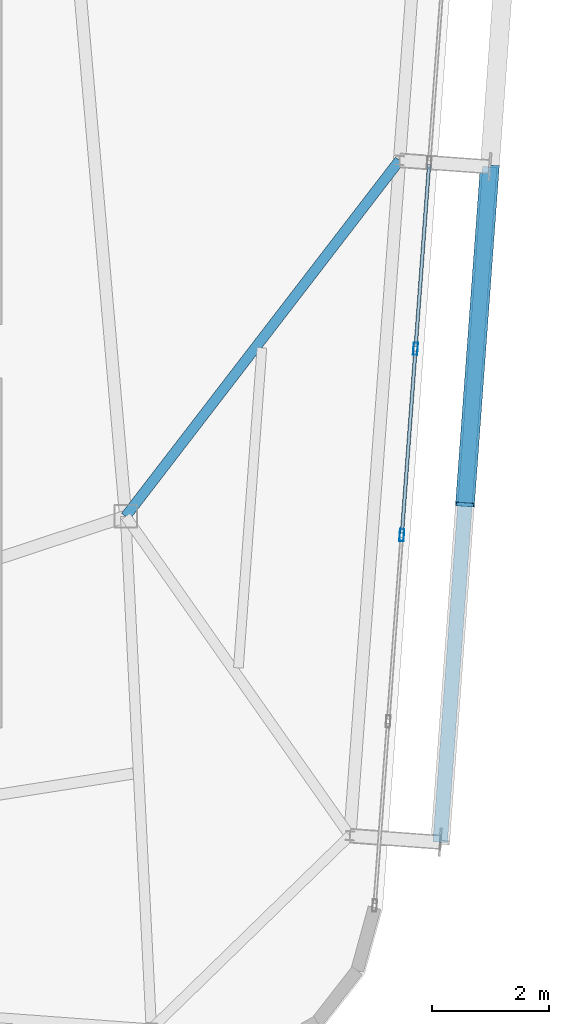
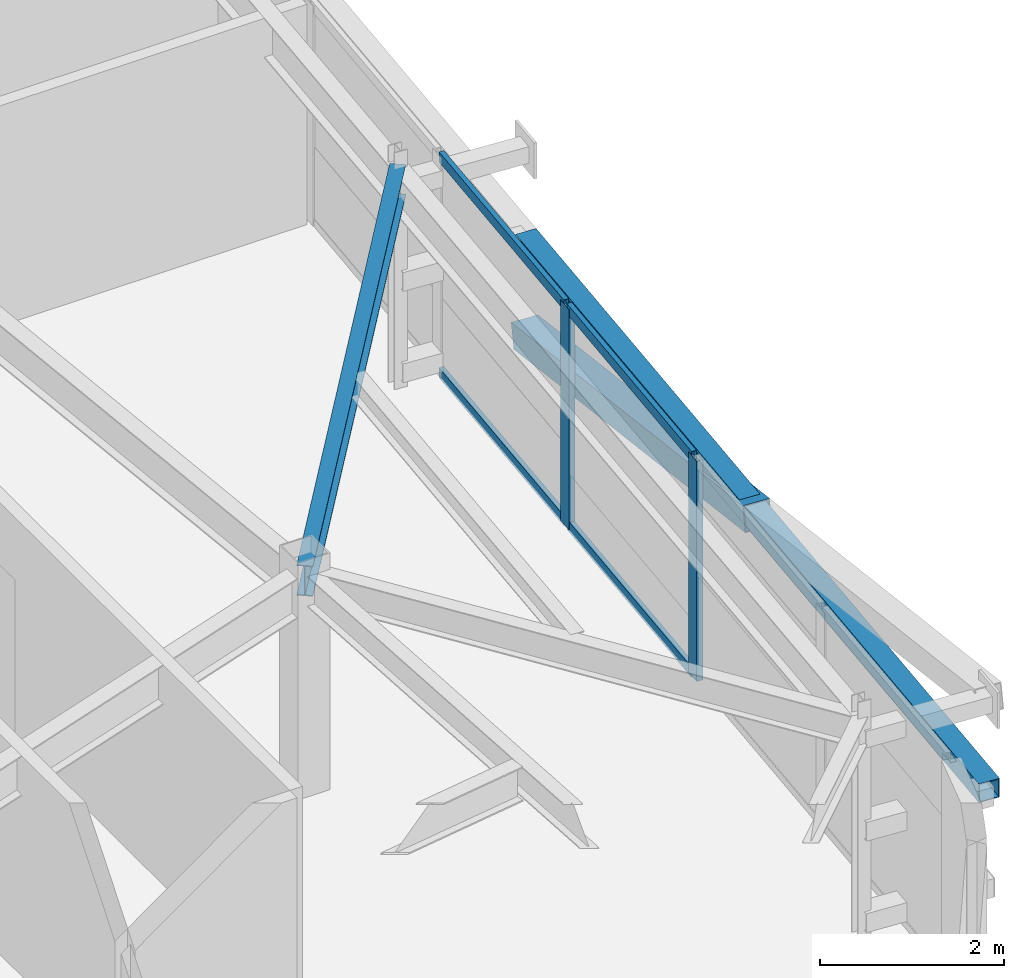
# One storey, part 21 of 42: 8 members, 1 beam, 1 element without a shape of its own.
"""IFC4 building model written with IfcOpenShell, lengths in metres."""

from ifc_helpers import new_model, si_unit, direction, frame, origin, origin_2d, place, context, subcontext, project, spatial, hollow_rectangle, i_section, extrude, source, transform, mapped, material, layer, layer_set, material_profile, profile_set, type_object, element, aggregate, save


model = new_model("IFC4")

# Units and contexts
model_context = context("Model", 3, precision=1e-05, world=origin(), true_north=direction((0.0, 1.0)))
body_context = subcontext(model_context, "Body", "Model", "MODEL_VIEW")
ifc_project = project(units=[si_unit("LENGTHUNIT", "METRE"), si_unit("AREAUNIT", "SQUARE_METRE"), si_unit("VOLUMEUNIT", "CUBIC_METRE"), si_unit("PLANEANGLEUNIT", "RADIAN"), si_unit("MASSUNIT", "GRAM", prefix="KILO")], contexts=[model_context])

# Site, building, storey
site_placement = place(None, origin())
site = spatial("IfcSite", under=ifc_project, at=site_placement, CompositionType="ELEMENT")
building_placement = place(site_placement, origin())
building = spatial("IfcBuilding", under=site, at=building_placement, Name="Taldren Reach Tower", CompositionType="ELEMENT")
storey_placement = place(building_placement, frame((0.0, 0.0, 220.85009765625)))
storey = spatial("IfcBuildingStorey", under=building, at=storey_placement, Name="L67", CompositionType="ELEMENT", Elevation=220.85009765625)

# Beam
ifc_material_1 = material(Name="Steel Gr 350 (350PLUS)", Category="steel")
ifc_material_profile_1 = material_profile(ifc_material_1, i_section(OverallWidth=0.177978515625, OverallDepth=0.406005859375, WebThickness=0.0078125, FlangeThickness=0.0126953125, at=origin_2d()), Name="410UB59.7")
ifc_profile_set_1 = profile_set([ifc_material_profile_1], Name="Steel Gr 350 (350PLUS)")
beam_type = type_object("IfcBeamType", Name="BM-UB410", PredefinedType="BEAM", material=ifc_profile_set_1)
shared_shape_1 = source(origin(), body_context, "Body", "SweptSolid", [
    extrude(i_section(OverallWidth=0.177978515625, OverallDepth=0.406005859375, WebThickness=0.0078125, FlangeThickness=0.0126953125, at=origin_2d()), origin(), (0.0, 0.0, 1.0), 7.6953125),
])
beam_placement = place(storey_placement, frame((52.0, 12.5, 2.726806640625), z_axis=(0.609646363361, 0.792673521471, 0.0), x_axis=(-0.792673521471, 0.609646363361, 0.0)))
element("IfcBeam", 1, at=beam_placement, inside=storey, type_object=beam_type, Name="Primary floor girder B5-E2 L67", PredefinedType="BEAM", context=body_context, shape_type="MappedRepresentation", body=[
    mapped(shared_shape_1, transform((0.0, 0.0, 0.0), scale=1.0)),
])

# Members
ifc_material_2 = material(Name="Steel Gr 450 (C450L0)", Category="steel")
ifc_material_profile_2 = material_profile(ifc_material_2, hollow_rectangle(XDim=0.324951171875, YDim=0.324951171875, WallThickness=0.0126953125, at=origin_2d()), Name="325x325x12.7SHS")
ifc_profile_set_2 = profile_set([ifc_material_profile_2], Name="Steel Gr 450 (C450L0)")
member_type_1 = type_object("IfcMemberType", Name="MB-BR324", PredefinedType="BRACE", material=ifc_profile_set_2)
shared_shape_2 = source(origin(), body_context, "Body", "SweptSolid", [
    extrude(hollow_rectangle(XDim=0.324951171875, YDim=0.324951171875, WallThickness=0.0126953125, at=origin_2d()), origin(), (0.0, 0.0, 1.0), 5.92578125),
])
member_1_placement = place(storey_placement, frame((58.237060546875, 18.486328125, 0.219970703125), z_axis=(-0.071686540919, -0.976131732187, 0.205007027365), x_axis=(0.997314185625, -0.073242167855, 0.0)))
element("IfcMember", 2, at=member_1_placement, inside=storey, type_object=member_type_1, Name="Exoskeleton Diagrid Brace B5-E1 L67", PredefinedType="BRACE", context=body_context, shape_type="MappedRepresentation", body=[
    mapped(shared_shape_2, transform((0.0, 0.0, 0.0), scale=1.0)),
])
ifc_material_3 = material(Name="Steel Gr 350 (C350L0)", Category="steel")
ifc_material_profile_3 = material_profile(ifc_material_3, hollow_rectangle(XDim=0.25, YDim=0.25, WallThickness=0.010009765625, at=origin_2d()), Name="250x250x10.0SHS")
ifc_profile_set_3 = profile_set([ifc_material_profile_3], Name="Steel Gr 350 (C350L0)")
member_type_2 = type_object("IfcMemberType", Name="MB-POST250", PredefinedType="POST", material=ifc_profile_set_3)
shared_shape_3 = source(origin(), body_context, "Body", "SweptSolid", [
    extrude(hollow_rectangle(XDim=0.25, YDim=0.25, WallThickness=0.010009765625, at=origin_2d()), origin(), (0.0, 0.0, 1.0), 11.60009765625),
])
member_2_placement = place(storey_placement, frame((57.3876953125, 6.91748046875, 1.434814453125), z_axis=(0.073221234109, 0.997315722766, 0.0), x_axis=(-0.997315722766, 0.073221234109, 0.0)))
element("IfcMember", 3, at=member_2_placement, inside=storey, type_object=member_type_2, Name="Exoskeleton mid-height ring chord B5-E1 L67", PredefinedType="POST", context=body_context, shape_type="MappedRepresentation", body=[
    mapped(shared_shape_3, transform((0.0, 0.0, 0.0), scale=1.0)),
])

# Curtain wall, members
ifc_material_4 = material(Name="Aluminium and Low-E Glass Unitised System", Category="aluminium")
ifc_layer = layer(ifc_material_4, 0.159912109375)
ifc_layer_set = layer_set([ifc_layer], Name="Aluminium and Low-E Glass Unitised System")
curtain_wall_type = type_object("IfcCurtainWallType", Name="CW-SYS-6", PredefinedType="NOTDEFINED", material=ifc_layer_set)
curtain_wall_placement = place(storey_placement, origin())
curtain_wall = element("IfcCurtainWall", 4, at=curtain_wall_placement, inside=storey, type_object=curtain_wall_type, Name="Unitised curtain wall CW-L67-E", PredefinedType="NOTDEFINED")
ifc_material_5 = material(Name="Anodised Aluminium 6063-T6", Category="aluminium")
ifc_material_profile_4 = material_profile(ifc_material_5, hollow_rectangle(XDim=0.074951171875, YDim=0.2099609375, WallThickness=0.00439453125, at=origin_2d()), Name="ALU-210x75x4.5RHS")
ifc_profile_set_4 = profile_set([ifc_material_profile_4], Name="Anodised Aluminium 6063-T6")
member_type_3 = type_object("IfcMemberType", Name="CW-MUL-200", PredefinedType="MULLION", material=ifc_profile_set_4)
shared_shape_4 = source(origin(), body_context, "Body", "SweptSolid", [
    extrude(hollow_rectangle(XDim=0.074951171875, YDim=0.2099609375, WallThickness=0.00439453125, at=origin_2d()), origin(), (0.0, 0.0, 1.0), 2.929931640625),
])
member_3_placement = place(storey_placement, frame((56.731201171875, 12.1796875, 0.0), z_axis=(0.0, 0.0, 1.0), x_axis=(-0.997314470951, 0.073238282558, 0.0)))
member_3 = element("IfcMember", 5, at=member_3_placement, type_object=member_type_3, Name="CW-6 mullion 3", PredefinedType="MULLION", context=body_context, shape_type="MappedRepresentation", body=[
    mapped(shared_shape_4, transform((0.0, 0.0, 0.0), scale=1.0)),
])
member_4_placement = place(storey_placement, frame((56.965576171875, 15.37109375, 0.0), z_axis=(0.0, 0.0, 1.0), x_axis=(-0.997314470951, 0.073238282558, 0.0)))
member_4 = element("IfcMember", 6, at=member_4_placement, type_object=member_type_3, Name="CW-6 mullion 4", PredefinedType="MULLION", context=body_context, shape_type="MappedRepresentation", body=[
    mapped(shared_shape_4, transform((0.0, 0.0, 0.0), scale=1.0)),
])
ifc_material_profile_5 = material_profile(ifc_material_5, hollow_rectangle(XDim=0.06005859375, YDim=0.135009765625, WallThickness=0.00341796875, at=origin_2d()), Name="ALU-135x60x3.5RHS")
ifc_profile_set_5 = profile_set([ifc_material_profile_5], Name="Anodised Aluminium 6063-T6")
member_type_4 = type_object("IfcMemberType", Name="CW-TRN-150", PredefinedType="USERDEFINED", material=ifc_profile_set_5)
shared_shape_5 = source(origin(), body_context, "Body", "SweptSolid", [
    extrude(hollow_rectangle(XDim=0.06005859375, YDim=0.135009765625, WallThickness=0.00341796875, at=origin_2d()), origin(), (0.0, 0.0, 1.0), 3.124755859375),
])
member_5_placement = place(storey_placement, frame((56.73388671875, 12.217041015625, 0.02978515625), z_axis=(0.073284589347, 0.997311069308, 0.0), x_axis=(-0.997311069308, 0.073284589347, 0.0)))
member_5 = element("IfcMember", 7, at=member_5_placement, type_object=member_type_4, Name="CW-6 transom 3.1", ObjectType="TRANSOM", PredefinedType="USERDEFINED", context=body_context, shape_type="MappedRepresentation", body=[
    mapped(shared_shape_5, transform((0.0, 0.0, 0.0), scale=1.0)),
])
member_6_placement = place(storey_placement, frame((56.73388671875, 12.217041015625, 2.89990234375), z_axis=(0.073284589347, 0.997311069308, 0.0), x_axis=(-0.997311069308, 0.073284589347, 0.0)))
member_6 = element("IfcMember", 8, at=member_6_placement, type_object=member_type_4, Name="CW-6 transom 3.2", ObjectType="TRANSOM", PredefinedType="USERDEFINED", context=body_context, shape_type="MappedRepresentation", body=[
    mapped(shared_shape_5, transform((0.0, 0.0, 0.0), scale=1.0)),
])
member_7_placement = place(storey_placement, frame((56.96826171875, 15.408447265625, 0.02978515625), z_axis=(0.073284589347, 0.997311069308, 0.0), x_axis=(-0.997311069308, 0.073284589347, 0.0)))
member_7 = element("IfcMember", 9, at=member_7_placement, type_object=member_type_4, Name="CW-6 transom 4.1", ObjectType="TRANSOM", PredefinedType="USERDEFINED", context=body_context, shape_type="MappedRepresentation", body=[
    mapped(shared_shape_5, transform((0.0, 0.0, 0.0), scale=1.0)),
])
member_8_placement = place(storey_placement, frame((56.96826171875, 15.408447265625, 2.89990234375), z_axis=(0.073284589347, 0.997311069308, 0.0), x_axis=(-0.997311069308, 0.073284589347, 0.0)))
member_8 = element("IfcMember", 10, at=member_8_placement, type_object=member_type_4, Name="CW-6 transom 4.2", ObjectType="TRANSOM", PredefinedType="USERDEFINED", context=body_context, shape_type="MappedRepresentation", body=[
    mapped(shared_shape_5, transform((0.0, 0.0, 0.0), scale=1.0)),
])
aggregate(curtain_wall, [member_3, member_4, member_5, member_6, member_7, member_8])

save(model, "model.ifc")
